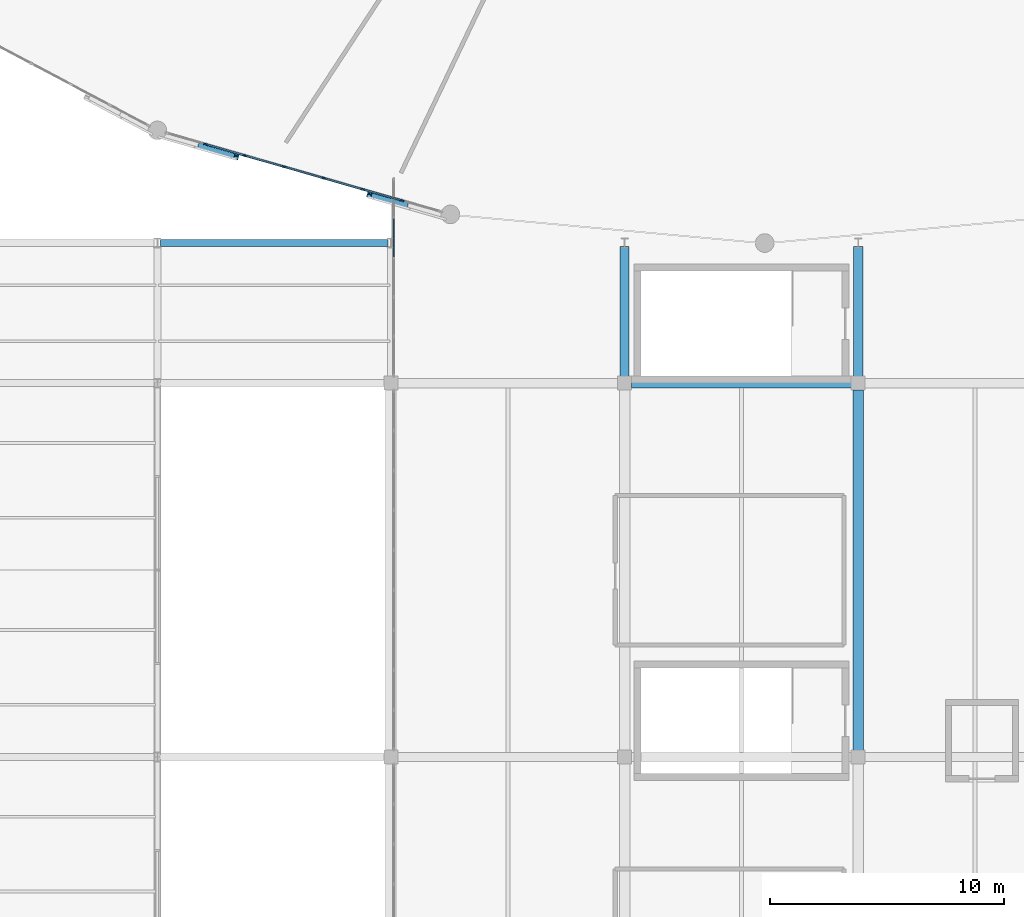
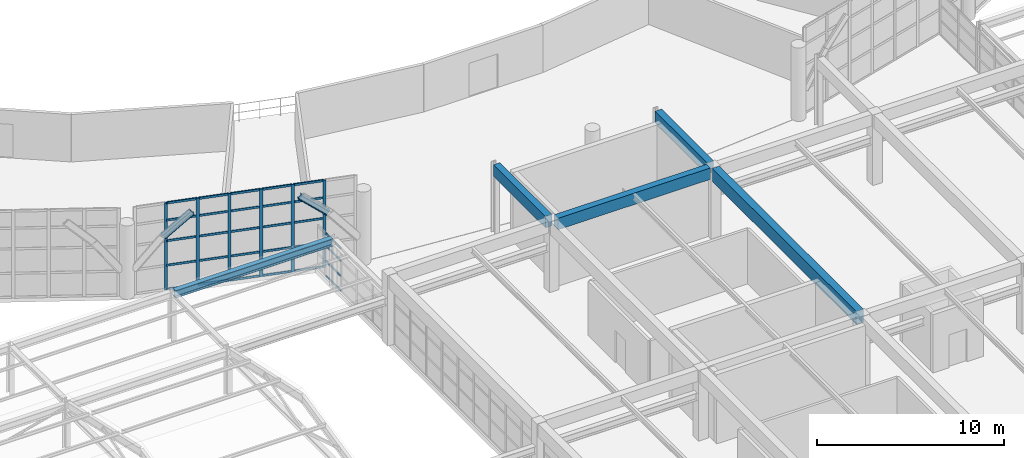
# One storey, part 22 of 109: 35 members, 7 beams, 2 elements without a shape of their own.
"""IFC4 building model written with IfcOpenShell, lengths in metres."""

from ifc_helpers import new_model, si_unit, direction, frame, origin, origin_2d, place, context, subcontext, project, spatial, rectangle, i_section, extrude, material, layer, layer_set, material_profile, profile_set, type_object, element, aggregate, save


model = new_model("IFC4")

# Units and contexts
model_context = context("Model", 3, precision=1e-05, world=origin(), true_north=direction((0.0, 1.0)))
body_context = subcontext(model_context, "Body", "Model", "MODEL_VIEW")
ifc_project = project(units=[si_unit("LENGTHUNIT", "METRE"), si_unit("AREAUNIT", "SQUARE_METRE"), si_unit("VOLUMEUNIT", "CUBIC_METRE"), si_unit("PLANEANGLEUNIT", "RADIAN"), si_unit("MASSUNIT", "GRAM", prefix="KILO")], contexts=[model_context])

# Site, building, storey
site_placement = place(None, origin())
site = spatial("IfcSite", under=ifc_project, at=site_placement, CompositionType="ELEMENT")
building_placement = place(site_placement, origin())
building = spatial("IfcBuilding", under=site, at=building_placement, Name="Kivolera Central Railway Station", CompositionType="ELEMENT")
storey_placement = place(building_placement, frame((0.0, 0.0, 9.60009765625)))
storey = spatial("IfcBuildingStorey", under=building, at=storey_placement, Name="L02", CompositionType="ELEMENT", Elevation=9.60009765625)

# Beams
ifc_material_1 = material(Name="Steel S355", Category="steel")
ifc_material_profile_1 = material_profile(ifc_material_1, i_section(OverallWidth=0.300048828125, OverallDepth=0.300048828125, WebThickness=0.010986328125, FlangeThickness=0.01904296875, FilletRadius=0.027099609375, at=origin_2d()), Name="HEB 300")
ifc_profile_set_1 = profile_set([ifc_material_profile_1], Name="Steel S355")
beam_type_1 = type_object("IfcBeamType", Name="BM-LANT-ARCH", PredefinedType="SPANDREL", material=ifc_profile_set_1)
beam_1_placement = place(storey_placement, frame((39.85009765625, 58.16796875, 3.599853515625), z_axis=(0.732995328779, -0.210190358855, 0.646945021646), x_axis=(0.275646238787, 0.961259148743, 0.0)))
element("IfcBeam", 1, at=beam_1_placement, inside=storey, type_object=beam_type_1, Name="Oval Lantern Structural Arch Rib 17.2", PredefinedType="SPANDREL", context=body_context, shape_type="SweptSolid", body=[
    extrude(i_section(OverallWidth=0.300048828125, OverallDepth=0.300048828125, WebThickness=0.010986328125, FlangeThickness=0.01904296875, FilletRadius=0.027099609375, at=origin_2d()), origin(), (0.0, 0.0, 1.0), 2.102294921875),
])
beam_2_placement = place(storey_placement, frame((47.0830078125, 56.093994140625, 4.9599609375), z_axis=(0.733210155687, -0.21011880649, -0.646724790585), x_axis=(0.275484921, 0.961305392839, 0.0)))
element("IfcBeam", 2, at=beam_2_placement, inside=storey, type_object=beam_type_1, Name="Oval Lantern Structural Arch Rib 17.5", PredefinedType="SPANDREL", context=body_context, shape_type="SweptSolid", body=[
    extrude(i_section(OverallWidth=0.300048828125, OverallDepth=0.300048828125, WebThickness=0.010986328125, FlangeThickness=0.01904296875, FilletRadius=0.027099609375, at=origin_2d()), origin(), (0.0, 0.0, 1.0), 2.10302734375),
])
ifc_material_2 = material(Name="Concrete C40/50", Category="concrete")
ifc_material_profile_2 = material_profile(ifc_material_2, rectangle(XDim=0.39990234375, YDim=0.75, at=origin_2d()), Name="RC 400x750")
ifc_profile_set_2 = profile_set([ifc_material_profile_2], Name="Concrete C40/50")
beam_type_2 = type_object("IfcBeamType", Name="BM-RC-400x750", PredefinedType="BEAM", material=ifc_profile_set_2)
for number, where, z_axis, x_axis, name in (
    (3, (58.0, 48.287109375, 4.224853515625), (0.0, 1.0, 0.0), (-1.0, 0.0, 0.0), "L02 Over-Track Concourse Threshold Girder 6:D-E"),
    (4, (68.0, 48.287109375, 4.224853515625), (0.0, 1.0, 0.0), (-1.0, 0.0, 0.0), "L02 Over-Track Concourse Threshold Girder 7:D-E"),
):
    element("IfcBeam", number, at=place(storey_placement, frame(where, z_axis=z_axis, x_axis=x_axis)), inside=storey, type_object=beam_type_2, Name=name, PredefinedType="BEAM", context=body_context, shape_type="SweptSolid", body=[
        extrude(rectangle(XDim=0.39990234375, YDim=0.75, at=origin_2d()), origin(), (0.0, 0.0, 1.0), 5.572998046875),
    ])
beam_3_placement = place(storey_placement, frame((58.287109375, 48.0, 4.224853515625), z_axis=(1.0, 0.0, 0.0), x_axis=(0.0, 1.0, 0.0)))
element("IfcBeam", 5, at=beam_3_placement, inside=storey, type_object=beam_type_2, Name="L02 Over-Track Bridge Transverse Girder D:6-7", PredefinedType="BEAM", context=body_context, shape_type="SweptSolid", body=[
    extrude(rectangle(XDim=0.39990234375, YDim=0.75, at=origin_2d()), origin(), (0.0, 0.0, 1.0), 9.42578125),
])
ifc_material_profile_3 = material_profile(ifc_material_2, rectangle(XDim=0.449951171875, YDim=0.85009765625, at=origin_2d()), Name="RC 450x850")
ifc_profile_set_3 = profile_set([ifc_material_profile_3], Name="Concrete C40/50")
beam_type_3 = type_object("IfcBeamType", Name="BM-RC-450x850", PredefinedType="BEAM", material=ifc_profile_set_3)
beam_4_placement = place(storey_placement, frame((68.0, 32.287109375, 4.1748046875), z_axis=(0.0, 1.0, 0.0), x_axis=(-1.0, 0.0, 0.0)))
element("IfcBeam", 6, at=beam_4_placement, inside=storey, type_object=beam_type_3, Name="L02 Over-Track Concourse Bridge Girder 7:C-D", PredefinedType="BEAM", context=body_context, shape_type="SweptSolid", body=[
    extrude(rectangle(XDim=0.449951171875, YDim=0.85009765625, at=origin_2d()), origin(), (0.0, 0.0, 1.0), 15.42578125),
])
ifc_material_profile_4 = material_profile(ifc_material_1, i_section(OverallWidth=0.300048828125, OverallDepth=0.489990234375, WebThickness=0.011962890625, FlangeThickness=0.02294921875, FilletRadius=0.027099609375, at=origin_2d()), Name="HEA 500")
ifc_profile_set_4 = profile_set([ifc_material_profile_4], Name="Steel S355")
beam_type_4 = type_object("IfcBeamType", Name="BM-SHD-HEA500", PredefinedType="BEAM", material=ifc_profile_set_4)
beam_5_placement = place(storey_placement, frame((38.136962890625, 54.0, 3.0048828125), z_axis=(1.0, 0.0, 0.0), x_axis=(0.0, 1.0, 0.0)))
element("IfcBeam", 7, at=beam_5_placement, inside=storey, type_object=beam_type_4, Name="Train Shed Eave Girder E:4-5", PredefinedType="BEAM", context=body_context, shape_type="SweptSolid", body=[
    extrude(i_section(OverallWidth=0.300048828125, OverallDepth=0.489990234375, WebThickness=0.011962890625, FlangeThickness=0.02294921875, FilletRadius=0.027099609375, at=origin_2d()), origin(), (0.0, 0.0, 1.0), 9.72607421875),
])

# Curtain wall, members
ifc_material_3 = material(Name="Anodised aluminium", Category="aluminium")
ifc_layer_1 = layer(ifc_material_3, 0.179931640625, Name="Anodised aluminium")
ifc_layer_set_1 = layer_set([ifc_layer_1], Name="Anodised aluminium")
curtain_wall_type_1 = type_object("IfcCurtainWallType", Name="CW-SYS-11", PredefinedType="NOTDEFINED", material=ifc_layer_set_1)
curtain_wall_1_placement = place(storey_placement, origin())
curtain_wall_1 = element("IfcCurtainWall", 8, at=curtain_wall_1_placement, inside=storey, type_object=curtain_wall_type_1, Name="L02 Curtain Wall CW-L02-OVL-16", PredefinedType="NOTDEFINED")
ifc_material_profile_5 = material_profile(ifc_material_3, rectangle(XDim=0.070068359375, YDim=0.179931640625, at=origin_2d()), Name="ALU MULL 70x180")
ifc_profile_set_5 = profile_set([ifc_material_profile_5], Name="Anodised aluminium")
member_type_1 = type_object("IfcMemberType", Name="CWM-MUL-1", PredefinedType="MULLION", material=ifc_profile_set_5)
member_1_placement = place(storey_placement, frame((48.474365234375, 55.8193359375, -0.005126953125), z_axis=(0.0, 0.0, 1.0), x_axis=(-0.27569168989, -0.961246114232, 0.0)))
member_1 = element("IfcMember", 9, at=member_1_placement, type_object=member_type_1, Name="CW-11 mullion 2", PredefinedType="MULLION", context=body_context, shape_type="SweptSolid", body=[
    extrude(rectangle(XDim=0.070068359375, YDim=0.179931640625, at=origin_2d()), origin(), (0.0, 0.0, 1.0), 5.705078125),
])
member_2_placement = place(storey_placement, frame((46.79296875, 56.301513671875, -0.005126953125), z_axis=(0.0, 0.0, 1.0), x_axis=(-0.27569168989, -0.961246114232, 0.0)))
member_2 = element("IfcMember", 10, at=member_2_placement, type_object=member_type_1, Name="CW-11 mullion 3", PredefinedType="MULLION", context=body_context, shape_type="SweptSolid", body=[
    extrude(rectangle(XDim=0.070068359375, YDim=0.179931640625, at=origin_2d()), origin(), (0.0, 0.0, 1.0), 5.705078125),
])
member_3_placement = place(storey_placement, frame((45.111328125, 56.783935546875, -0.005126953125), z_axis=(0.0, 0.0, 1.0), x_axis=(-0.27569168989, -0.961246114232, 0.0)))
member_3 = element("IfcMember", 11, at=member_3_placement, type_object=member_type_1, Name="CW-11 mullion 4", PredefinedType="MULLION", context=body_context, shape_type="SweptSolid", body=[
    extrude(rectangle(XDim=0.070068359375, YDim=0.179931640625, at=origin_2d()), origin(), (0.0, 0.0, 1.0), 5.705078125),
])
member_4_placement = place(storey_placement, frame((43.4296875, 57.26611328125, -0.005126953125), z_axis=(0.0, 0.0, 1.0), x_axis=(-0.27569168989, -0.961246114232, 0.0)))
member_4 = element("IfcMember", 12, at=member_4_placement, type_object=member_type_1, Name="CW-11 mullion 5", PredefinedType="MULLION", context=body_context, shape_type="SweptSolid", body=[
    extrude(rectangle(XDim=0.070068359375, YDim=0.179931640625, at=origin_2d()), origin(), (0.0, 0.0, 1.0), 5.705078125),
])
member_5_placement = place(storey_placement, frame((41.748046875, 57.74853515625, -0.005126953125), z_axis=(0.0, 0.0, 1.0), x_axis=(-0.27569168989, -0.961246114232, 0.0)))
member_5 = element("IfcMember", 13, at=member_5_placement, type_object=member_type_1, Name="CW-11 mullion 6", PredefinedType="MULLION", context=body_context, shape_type="SweptSolid", body=[
    extrude(rectangle(XDim=0.070068359375, YDim=0.179931640625, at=origin_2d()), origin(), (0.0, 0.0, 1.0), 5.705078125),
])
member_6_placement = place(storey_placement, frame((40.066650390625, 58.230712890625, -0.005126953125), z_axis=(0.0, 0.0, 1.0), x_axis=(-0.27569168989, -0.961246114232, 0.0)))
member_6 = element("IfcMember", 14, at=member_6_placement, type_object=member_type_1, Name="CW-11 mullion 7", PredefinedType="MULLION", context=body_context, shape_type="SweptSolid", body=[
    extrude(rectangle(XDim=0.070068359375, YDim=0.179931640625, at=origin_2d()), origin(), (0.0, 0.0, 1.0), 5.705078125),
])
ifc_material_profile_6 = material_profile(ifc_material_3, rectangle(XDim=0.070068359375, YDim=0.139892578125, at=origin_2d()), Name="ALU TRAN 70x140")
ifc_profile_set_6 = profile_set([ifc_material_profile_6], Name="Anodised aluminium")
member_type_2 = type_object("IfcMemberType", Name="CWM-TRN-1", PredefinedType="USERDEFINED", material=ifc_profile_set_6)
member_7_placement = place(storey_placement, frame((48.440673828125, 55.828857421875, 0.034912109375), z_axis=(-0.961221645359, 0.275776990509, 0.0), x_axis=(-0.275776990509, -0.961221645359, 0.0)))
member_7 = element("IfcMember", 15, at=member_7_placement, type_object=member_type_2, Name="CW-11 transom 2.1", ObjectType="TRANSOM", PredefinedType="USERDEFINED", context=body_context, shape_type="SweptSolid", body=[
    extrude(rectangle(XDim=0.070068359375, YDim=0.139892578125, at=origin_2d()), origin(), (0.0, 0.0, 1.0), 1.679443359375),
])
member_8_placement = place(storey_placement, frame((48.440673828125, 55.828857421875, 1.599853515625), z_axis=(-0.961221645359, 0.275776990509, 0.0), x_axis=(-0.275776990509, -0.961221645359, 0.0)))
member_8 = element("IfcMember", 16, at=member_8_placement, type_object=member_type_2, Name="CW-11 transom 2.2", ObjectType="TRANSOM", PredefinedType="USERDEFINED", context=body_context, shape_type="SweptSolid", body=[
    extrude(rectangle(XDim=0.070068359375, YDim=0.139892578125, at=origin_2d()), origin(), (0.0, 0.0, 1.0), 1.679443359375),
])
member_9_placement = place(storey_placement, frame((48.440673828125, 55.828857421875, 3.199951171875), z_axis=(-0.961221645359, 0.275776990509, 0.0), x_axis=(-0.275776990509, -0.961221645359, 0.0)))
member_9 = element("IfcMember", 17, at=member_9_placement, type_object=member_type_2, Name="CW-11 transom 2.3", ObjectType="TRANSOM", PredefinedType="USERDEFINED", context=body_context, shape_type="SweptSolid", body=[
    extrude(rectangle(XDim=0.070068359375, YDim=0.139892578125, at=origin_2d()), origin(), (0.0, 0.0, 1.0), 1.679443359375),
])
member_10_placement = place(storey_placement, frame((48.440673828125, 55.828857421875, 4.5498046875), z_axis=(-0.961221645359, 0.275776990509, 0.0), x_axis=(-0.275776990509, -0.961221645359, 0.0)))
member_10 = element("IfcMember", 18, at=member_10_placement, type_object=member_type_2, Name="CW-11 transom 2.4", ObjectType="TRANSOM", PredefinedType="USERDEFINED", context=body_context, shape_type="SweptSolid", body=[
    extrude(rectangle(XDim=0.070068359375, YDim=0.139892578125, at=origin_2d()), origin(), (0.0, 0.0, 1.0), 1.679443359375),
])
member_11_placement = place(storey_placement, frame((48.440673828125, 55.828857421875, 5.664794921875), z_axis=(-0.961221645359, 0.275776990509, 0.0), x_axis=(-0.275776990509, -0.961221645359, 0.0)))
member_11 = element("IfcMember", 19, at=member_11_placement, type_object=member_type_2, Name="CW-11 transom 2.5", ObjectType="TRANSOM", PredefinedType="USERDEFINED", context=body_context, shape_type="SweptSolid", body=[
    extrude(rectangle(XDim=0.070068359375, YDim=0.139892578125, at=origin_2d()), origin(), (0.0, 0.0, 1.0), 1.679443359375),
])
member_12_placement = place(storey_placement, frame((46.75927734375, 56.311279296875, 0.034912109375), z_axis=(-0.961260174018, 0.27564266333, 0.0), x_axis=(-0.27564266333, -0.961260174018, 0.0)))
member_12 = element("IfcMember", 20, at=member_12_placement, type_object=member_type_2, Name="CW-11 transom 3.1", ObjectType="TRANSOM", PredefinedType="USERDEFINED", context=body_context, shape_type="SweptSolid", body=[
    extrude(rectangle(XDim=0.070068359375, YDim=0.139892578125, at=origin_2d()), origin(), (0.0, 0.0, 1.0), 1.67919921875),
])
member_13_placement = place(storey_placement, frame((46.75927734375, 56.311279296875, 1.599853515625), z_axis=(-0.961260174018, 0.27564266333, 0.0), x_axis=(-0.27564266333, -0.961260174018, 0.0)))
member_13 = element("IfcMember", 21, at=member_13_placement, type_object=member_type_2, Name="CW-11 transom 3.2", ObjectType="TRANSOM", PredefinedType="USERDEFINED", context=body_context, shape_type="SweptSolid", body=[
    extrude(rectangle(XDim=0.070068359375, YDim=0.139892578125, at=origin_2d()), origin(), (0.0, 0.0, 1.0), 1.67919921875),
])
member_14_placement = place(storey_placement, frame((46.75927734375, 56.311279296875, 3.199951171875), z_axis=(-0.961260174018, 0.27564266333, 0.0), x_axis=(-0.27564266333, -0.961260174018, 0.0)))
member_14 = element("IfcMember", 22, at=member_14_placement, type_object=member_type_2, Name="CW-11 transom 3.3", ObjectType="TRANSOM", PredefinedType="USERDEFINED", context=body_context, shape_type="SweptSolid", body=[
    extrude(rectangle(XDim=0.070068359375, YDim=0.139892578125, at=origin_2d()), origin(), (0.0, 0.0, 1.0), 1.67919921875),
])
member_15_placement = place(storey_placement, frame((46.75927734375, 56.311279296875, 4.5498046875), z_axis=(-0.961260174018, 0.27564266333, 0.0), x_axis=(-0.27564266333, -0.961260174018, 0.0)))
member_15 = element("IfcMember", 23, at=member_15_placement, type_object=member_type_2, Name="CW-11 transom 3.4", ObjectType="TRANSOM", PredefinedType="USERDEFINED", context=body_context, shape_type="SweptSolid", body=[
    extrude(rectangle(XDim=0.070068359375, YDim=0.139892578125, at=origin_2d()), origin(), (0.0, 0.0, 1.0), 1.67919921875),
])
member_16_placement = place(storey_placement, frame((46.75927734375, 56.311279296875, 5.664794921875), z_axis=(-0.961260174018, 0.27564266333, 0.0), x_axis=(-0.27564266333, -0.961260174018, 0.0)))
member_16 = element("IfcMember", 24, at=member_16_placement, type_object=member_type_2, Name="CW-11 transom 3.5", ObjectType="TRANSOM", PredefinedType="USERDEFINED", context=body_context, shape_type="SweptSolid", body=[
    extrude(rectangle(XDim=0.070068359375, YDim=0.139892578125, at=origin_2d()), origin(), (0.0, 0.0, 1.0), 1.67919921875),
])
member_17_placement = place(storey_placement, frame((45.07763671875, 56.79345703125, 0.034912109375), z_axis=(-0.961221645359, 0.275776990509, 0.0), x_axis=(-0.275776990509, -0.961221645359, 0.0)))
member_17 = element("IfcMember", 25, at=member_17_placement, type_object=member_type_2, Name="CW-11 transom 4.1", ObjectType="TRANSOM", PredefinedType="USERDEFINED", context=body_context, shape_type="SweptSolid", body=[
    extrude(rectangle(XDim=0.070068359375, YDim=0.139892578125, at=origin_2d()), origin(), (0.0, 0.0, 1.0), 1.679443359375),
])
member_18_placement = place(storey_placement, frame((45.07763671875, 56.79345703125, 1.599853515625), z_axis=(-0.961221645359, 0.275776990509, 0.0), x_axis=(-0.275776990509, -0.961221645359, 0.0)))
member_18 = element("IfcMember", 26, at=member_18_placement, type_object=member_type_2, Name="CW-11 transom 4.2", ObjectType="TRANSOM", PredefinedType="USERDEFINED", context=body_context, shape_type="SweptSolid", body=[
    extrude(rectangle(XDim=0.070068359375, YDim=0.139892578125, at=origin_2d()), origin(), (0.0, 0.0, 1.0), 1.679443359375),
])
member_19_placement = place(storey_placement, frame((45.07763671875, 56.79345703125, 3.199951171875), z_axis=(-0.961221645359, 0.275776990509, 0.0), x_axis=(-0.275776990509, -0.961221645359, 0.0)))
member_19 = element("IfcMember", 27, at=member_19_placement, type_object=member_type_2, Name="CW-11 transom 4.3", ObjectType="TRANSOM", PredefinedType="USERDEFINED", context=body_context, shape_type="SweptSolid", body=[
    extrude(rectangle(XDim=0.070068359375, YDim=0.139892578125, at=origin_2d()), origin(), (0.0, 0.0, 1.0), 1.679443359375),
])
member_20_placement = place(storey_placement, frame((45.07763671875, 56.79345703125, 4.5498046875), z_axis=(-0.961221645359, 0.275776990509, 0.0), x_axis=(-0.275776990509, -0.961221645359, 0.0)))
member_20 = element("IfcMember", 28, at=member_20_placement, type_object=member_type_2, Name="CW-11 transom 4.4", ObjectType="TRANSOM", PredefinedType="USERDEFINED", context=body_context, shape_type="SweptSolid", body=[
    extrude(rectangle(XDim=0.070068359375, YDim=0.139892578125, at=origin_2d()), origin(), (0.0, 0.0, 1.0), 1.679443359375),
])
member_21_placement = place(storey_placement, frame((45.07763671875, 56.79345703125, 5.664794921875), z_axis=(-0.961221645359, 0.275776990509, 0.0), x_axis=(-0.275776990509, -0.961221645359, 0.0)))
member_21 = element("IfcMember", 29, at=member_21_placement, type_object=member_type_2, Name="CW-11 transom 4.5", ObjectType="TRANSOM", PredefinedType="USERDEFINED", context=body_context, shape_type="SweptSolid", body=[
    extrude(rectangle(XDim=0.070068359375, YDim=0.139892578125, at=origin_2d()), origin(), (0.0, 0.0, 1.0), 1.679443359375),
])
member_22_placement = place(storey_placement, frame((43.39599609375, 57.27587890625, 0.034912109375), z_axis=(-0.961260174018, 0.27564266333, 0.0), x_axis=(-0.27564266333, -0.961260174018, 0.0)))
member_22 = element("IfcMember", 30, at=member_22_placement, type_object=member_type_2, Name="CW-11 transom 5.1", ObjectType="TRANSOM", PredefinedType="USERDEFINED", context=body_context, shape_type="SweptSolid", body=[
    extrude(rectangle(XDim=0.070068359375, YDim=0.139892578125, at=origin_2d()), origin(), (0.0, 0.0, 1.0), 1.67919921875),
])
member_23_placement = place(storey_placement, frame((43.39599609375, 57.27587890625, 1.599853515625), z_axis=(-0.961260174018, 0.27564266333, 0.0), x_axis=(-0.27564266333, -0.961260174018, 0.0)))
member_23 = element("IfcMember", 31, at=member_23_placement, type_object=member_type_2, Name="CW-11 transom 5.2", ObjectType="TRANSOM", PredefinedType="USERDEFINED", context=body_context, shape_type="SweptSolid", body=[
    extrude(rectangle(XDim=0.070068359375, YDim=0.139892578125, at=origin_2d()), origin(), (0.0, 0.0, 1.0), 1.67919921875),
])
member_24_placement = place(storey_placement, frame((43.39599609375, 57.27587890625, 3.199951171875), z_axis=(-0.961260174018, 0.27564266333, 0.0), x_axis=(-0.27564266333, -0.961260174018, 0.0)))
member_24 = element("IfcMember", 32, at=member_24_placement, type_object=member_type_2, Name="CW-11 transom 5.3", ObjectType="TRANSOM", PredefinedType="USERDEFINED", context=body_context, shape_type="SweptSolid", body=[
    extrude(rectangle(XDim=0.070068359375, YDim=0.139892578125, at=origin_2d()), origin(), (0.0, 0.0, 1.0), 1.67919921875),
])
member_25_placement = place(storey_placement, frame((43.39599609375, 57.27587890625, 4.5498046875), z_axis=(-0.961260174018, 0.27564266333, 0.0), x_axis=(-0.27564266333, -0.961260174018, 0.0)))
member_25 = element("IfcMember", 33, at=member_25_placement, type_object=member_type_2, Name="CW-11 transom 5.4", ObjectType="TRANSOM", PredefinedType="USERDEFINED", context=body_context, shape_type="SweptSolid", body=[
    extrude(rectangle(XDim=0.070068359375, YDim=0.139892578125, at=origin_2d()), origin(), (0.0, 0.0, 1.0), 1.67919921875),
])
member_26_placement = place(storey_placement, frame((43.39599609375, 57.27587890625, 5.664794921875), z_axis=(-0.961260174018, 0.27564266333, 0.0), x_axis=(-0.27564266333, -0.961260174018, 0.0)))
member_26 = element("IfcMember", 34, at=member_26_placement, type_object=member_type_2, Name="CW-11 transom 5.5", ObjectType="TRANSOM", PredefinedType="USERDEFINED", context=body_context, shape_type="SweptSolid", body=[
    extrude(rectangle(XDim=0.070068359375, YDim=0.139892578125, at=origin_2d()), origin(), (0.0, 0.0, 1.0), 1.67919921875),
])
member_27_placement = place(storey_placement, frame((41.714599609375, 57.758056640625, 0.034912109375), z_axis=(-0.961271217599, 0.275604147674, 0.0), x_axis=(-0.275604147674, -0.961271217599, 0.0)))
member_27 = element("IfcMember", 35, at=member_27_placement, type_object=member_type_2, Name="CW-11 transom 6.1", ObjectType="TRANSOM", PredefinedType="USERDEFINED", context=body_context, shape_type="SweptSolid", body=[
    extrude(rectangle(XDim=0.070068359375, YDim=0.139892578125, at=origin_2d()), origin(), (0.0, 0.0, 1.0), 1.679443359375),
])
member_28_placement = place(storey_placement, frame((41.714599609375, 57.758056640625, 1.599853515625), z_axis=(-0.961271217599, 0.275604147674, 0.0), x_axis=(-0.275604147674, -0.961271217599, 0.0)))
member_28 = element("IfcMember", 36, at=member_28_placement, type_object=member_type_2, Name="CW-11 transom 6.2", ObjectType="TRANSOM", PredefinedType="USERDEFINED", context=body_context, shape_type="SweptSolid", body=[
    extrude(rectangle(XDim=0.070068359375, YDim=0.139892578125, at=origin_2d()), origin(), (0.0, 0.0, 1.0), 1.679443359375),
])
member_29_placement = place(storey_placement, frame((41.714599609375, 57.758056640625, 3.199951171875), z_axis=(-0.961271217599, 0.275604147674, 0.0), x_axis=(-0.275604147674, -0.961271217599, 0.0)))
member_29 = element("IfcMember", 37, at=member_29_placement, type_object=member_type_2, Name="CW-11 transom 6.3", ObjectType="TRANSOM", PredefinedType="USERDEFINED", context=body_context, shape_type="SweptSolid", body=[
    extrude(rectangle(XDim=0.070068359375, YDim=0.139892578125, at=origin_2d()), origin(), (0.0, 0.0, 1.0), 1.679443359375),
])
member_30_placement = place(storey_placement, frame((41.714599609375, 57.758056640625, 4.5498046875), z_axis=(-0.961271217599, 0.275604147674, 0.0), x_axis=(-0.275604147674, -0.961271217599, 0.0)))
member_30 = element("IfcMember", 38, at=member_30_placement, type_object=member_type_2, Name="CW-11 transom 6.4", ObjectType="TRANSOM", PredefinedType="USERDEFINED", context=body_context, shape_type="SweptSolid", body=[
    extrude(rectangle(XDim=0.070068359375, YDim=0.139892578125, at=origin_2d()), origin(), (0.0, 0.0, 1.0), 1.679443359375),
])
member_31_placement = place(storey_placement, frame((41.714599609375, 57.758056640625, 5.664794921875), z_axis=(-0.961271217599, 0.275604147674, 0.0), x_axis=(-0.275604147674, -0.961271217599, 0.0)))
member_31 = element("IfcMember", 39, at=member_31_placement, type_object=member_type_2, Name="CW-11 transom 6.5", ObjectType="TRANSOM", PredefinedType="USERDEFINED", context=body_context, shape_type="SweptSolid", body=[
    extrude(rectangle(XDim=0.070068359375, YDim=0.139892578125, at=origin_2d()), origin(), (0.0, 0.0, 1.0), 1.679443359375),
])
aggregate(curtain_wall_1, [member_1, member_2, member_3, member_4, member_5, member_6, member_7, member_8, member_9, member_10, member_11, member_12, member_13, member_14, member_15, member_16, member_17, member_18, member_19, member_20, member_21, member_22, member_23, member_24, member_25, member_26, member_27, member_28, member_29, member_30, member_31])

ifc_layer_2 = layer(ifc_material_3, 0.179931640625, Name="Anodised aluminium")
ifc_layer_set_2 = layer_set([ifc_layer_2], Name="Anodised aluminium")
curtain_wall_type_2 = type_object("IfcCurtainWallType", Name="CW-SYS-19", PredefinedType="NOTDEFINED", material=ifc_layer_set_2)
curtain_wall_2_placement = place(storey_placement, origin())
curtain_wall_2 = element("IfcCurtainWall", 40, at=curtain_wall_2_placement, inside=storey, type_object=curtain_wall_type_2, Name="L02 Curtain Wall CW-L02-BRGW-4", PredefinedType="NOTDEFINED")
ifc_material_profile_7 = material_profile(ifc_material_3, rectangle(XDim=0.06005859375, YDim=0.1201171875, at=origin_2d()), Name="ALU TRAN 60x120")
ifc_profile_set_7 = profile_set([ifc_material_profile_7], Name="Anodised aluminium")
member_type_3 = type_object("IfcMemberType", Name="CWM-TRN-2", PredefinedType="USERDEFINED", material=ifc_profile_set_7)
member_32_placement = place(storey_placement, frame((48.1201171875, 53.404052734375, 0.02978515625), z_axis=(0.0, 1.0, 0.0), x_axis=(-1.0, 0.0, 0.0)))
member_32 = element("IfcMember", 41, at=member_32_placement, type_object=member_type_3, Name="CW-19 transom 4.1", ObjectType="TRANSOM", PredefinedType="USERDEFINED", context=body_context, shape_type="SweptSolid", body=[
    extrude(rectangle(XDim=0.06005859375, YDim=0.1201171875, at=origin_2d()), origin(), (0.0, 0.0, 1.0), 1.6279296875),
])
member_33_placement = place(storey_placement, frame((48.1201171875, 53.404052734375, 0.98681640625), z_axis=(0.0, 1.0, 0.0), x_axis=(-1.0, 0.0, 0.0)))
member_33 = element("IfcMember", 42, at=member_33_placement, type_object=member_type_3, Name="CW-19 transom 4.2", ObjectType="TRANSOM", PredefinedType="USERDEFINED", context=body_context, shape_type="SweptSolid", body=[
    extrude(rectangle(XDim=0.06005859375, YDim=0.1201171875, at=origin_2d()), origin(), (0.0, 0.0, 1.0), 1.6279296875),
])
member_34_placement = place(storey_placement, frame((48.1201171875, 53.404052734375, 1.973876953125), z_axis=(0.0, 1.0, 0.0), x_axis=(-1.0, 0.0, 0.0)))
member_34 = element("IfcMember", 43, at=member_34_placement, type_object=member_type_3, Name="CW-19 transom 4.3", ObjectType="TRANSOM", PredefinedType="USERDEFINED", context=body_context, shape_type="SweptSolid", body=[
    extrude(rectangle(XDim=0.06005859375, YDim=0.1201171875, at=origin_2d()), origin(), (0.0, 0.0, 1.0), 1.6279296875),
])
member_35_placement = place(storey_placement, frame((48.1201171875, 53.404052734375, 2.789794921875), z_axis=(0.0, 1.0, 0.0), x_axis=(-1.0, 0.0, 0.0)))
member_35 = element("IfcMember", 44, at=member_35_placement, type_object=member_type_3, Name="CW-19 transom 4.4", ObjectType="TRANSOM", PredefinedType="USERDEFINED", context=body_context, shape_type="SweptSolid", body=[
    extrude(rectangle(XDim=0.06005859375, YDim=0.1201171875, at=origin_2d()), origin(), (0.0, 0.0, 1.0), 1.6279296875),
])
aggregate(curtain_wall_2, [member_32, member_33, member_34, member_35])

save(model, "model.ifc")
